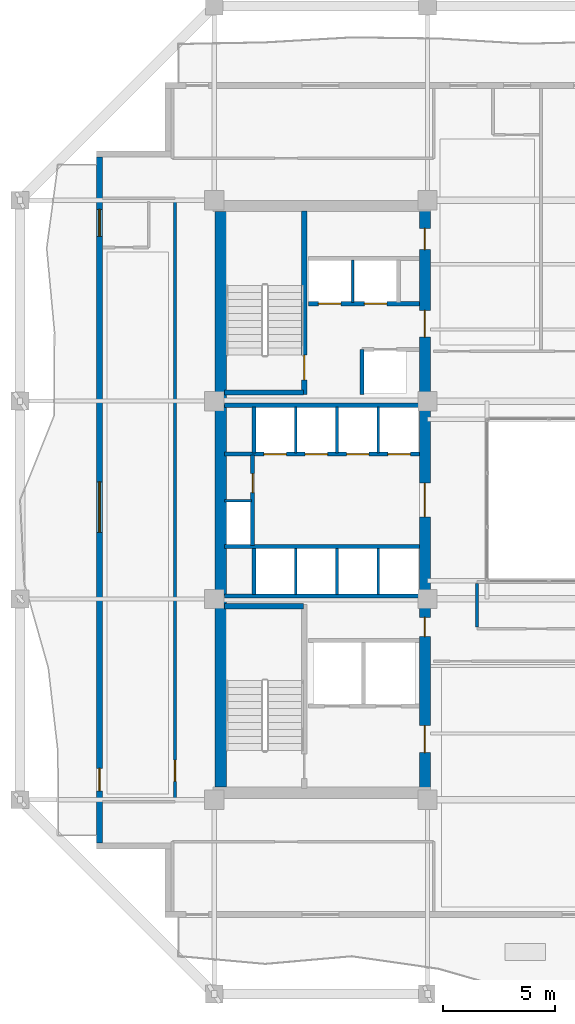
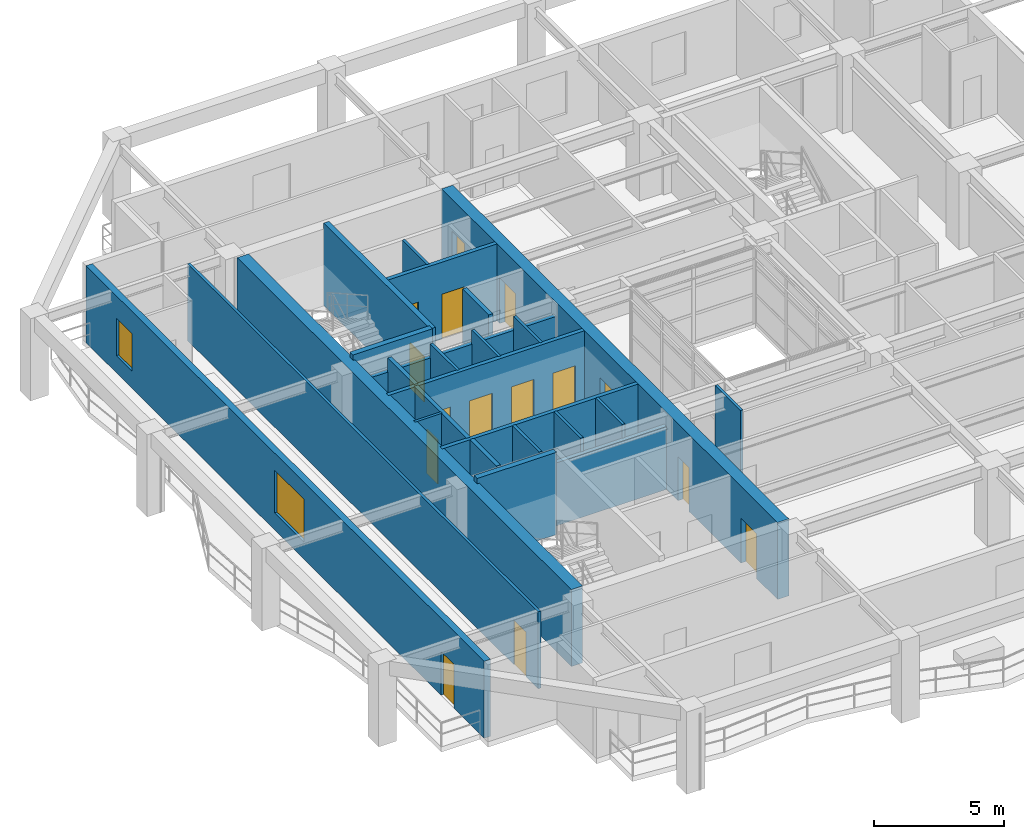
# One storey, part 7 of 14: 25 walls, 15 doors, 2 windows, 17 openings.
"""IFC4 building model written with IfcOpenShell, lengths in metres."""

from ifc_helpers import new_model, si_unit, direction, frame, frame_2d, origin, place, context, subcontext, project, spatial, rectangle, extrude, material, layer, layer_set, type_object, element, fill, save


model = new_model("IFC4")

# Units and contexts
model_context = context("Model", 3, precision=1e-05, world=origin(), true_north=direction((0.0, 1.0)))
body_context = subcontext(model_context, "Body", "Model", "MODEL_VIEW")
ifc_project = project(units=[si_unit("LENGTHUNIT", "METRE"), si_unit("AREAUNIT", "SQUARE_METRE"), si_unit("VOLUMEUNIT", "CUBIC_METRE"), si_unit("PLANEANGLEUNIT", "RADIAN"), si_unit("MASSUNIT", "GRAM", prefix="KILO")], contexts=[model_context])

# Site, building, storey
site_placement = place(None, origin())
site = spatial("IfcSite", under=ifc_project, at=site_placement, CompositionType="ELEMENT")
building_placement = place(site_placement, origin())
building = spatial("IfcBuilding", under=site, at=building_placement, Name="Kundavana Baori Tower", CompositionType="ELEMENT")
storey_placement = place(building_placement, frame((0.0, 0.0, 104.0)))
storey = spatial("IfcBuildingStorey", under=building, at=storey_placement, Name="L24", CompositionType="ELEMENT", Elevation=104.0)

# Wall
ifc_material_1 = material(Name="Concrete C50/60", Category="concrete")
ifc_layer_1 = layer(ifc_material_1, 0.39990234375, Name="WL-CORE-400")
ifc_layer_set_1 = layer_set([ifc_layer_1], Name="Concrete C50/60")
wall_type_1 = type_object("IfcWallType", Name="WL-CORE-400", PredefinedType="SHEAR", material=ifc_layer_set_1)
wall_1_placement = place(storey_placement, frame((15.89990234375, 23.860107421875, 0.0), z_axis=(0.0, 0.0, 1.0), x_axis=(1.0, 0.0, 0.0)))
element("IfcWall", 1, at=wall_1_placement, inside=storey, type_object=wall_type_1, Name="WL-L24-ST1-N", PredefinedType="SHEAR", context=body_context, shape_type="SweptSolid", body=[
    extrude(rectangle(XDim=3.52001953125, YDim=0.239990234375, at=frame_2d((1.760009765625, 0.0))), origin(), (0.0, 0.0, 1.0), 3.85009765625),
])

# Wall, opening, door
wall_2_placement = place(storey_placement, frame((19.4599609375, 33.300048828125, 0.0), z_axis=(0.0, 0.0, 1.0), x_axis=(0.0, 1.0, 0.0)))
wall_2 = element("IfcWall", 2, at=wall_2_placement, inside=storey, type_object=wall_type_1, Name="WL-L24-ST2-E", PredefinedType="SHEAR", context=body_context, shape_type="SweptSolid", body=[
    extrude(rectangle(XDim=8.179931640625, YDim=0.239990234375, at=frame_2d((4.08984375, 0.0))), origin(), (0.0, 0.0, 1.0), 3.85009765625),
])
opening_1_placement = place(wall_2_placement, frame((0.64990234375, 0.0, 0.0)))
opening_1 = element("IfcOpeningElement", 3, at=opening_1_placement, cuts=wall_2, Name="Opening FD-110", PredefinedType="OPENING", context=body_context, shape_type="SweptSolid", body=[
    extrude(rectangle(XDim=1.10009765625, YDim=2.10009765625, at=frame_2d((0.550048828125, 1.050048828125))), frame((0.0, 0.1298828125, 0.0), z_axis=(0.0, -1.0, 0.0), x_axis=(1.0, 0.0, 0.0)), (0.0, 0.0, 1.0), 0.260009765625),
])
ifc_material_2 = material(Name="Galvanised Steel Fire-Rated Door Leaf", Category="steel")
door_type_1 = type_object("IfcDoorType", Name="DR-FD120-1100", OperationType="NOTDEFINED", PredefinedType="DOOR", material=ifc_material_2)
door_1_placement = place(opening_1_placement, origin())
door_1 = element("IfcDoor", 4, at=door_1_placement, inside=storey, type_object=door_type_1, Name="DR-L24-ST2", OperationType="SINGLE_SWING_RIGHT", OverallHeight=2.10009765625, OverallWidth=1.10009765625, PredefinedType="DOOR", context=body_context, shape_type="SweptSolid", body=[
    extrude(rectangle(XDim=1.10009765625, YDim=2.10009765625, at=frame_2d((0.550048828125, 1.050048828125))), frame((0.0, 0.02490234375, 0.0), z_axis=(0.0, -1.0, 0.0), x_axis=(1.0, 0.0, 0.0)), (0.0, 0.0, 1.0), 0.050048828125),
])
fill(opening_1, door_1)

# Walls
wall_3_placement = place(storey_placement, frame((15.89990234375, 33.389892578125, 0.0), z_axis=(0.0, 0.0, 1.0), x_axis=(1.0, 0.0, 0.0)))
element("IfcWall", 5, at=wall_3_placement, inside=storey, type_object=wall_type_1, Name="WL-L24-ST2-S", PredefinedType="SHEAR", context=body_context, shape_type="SweptSolid", body=[
    extrude(rectangle(XDim=3.52001953125, YDim=0.239990234375, at=frame_2d((1.760009765625, 0.0))), origin(), (0.0, 0.0, 1.0), 3.85009765625),
])
ifc_material_3 = material(Name="Concrete C50/60", Category="concrete")
ifc_layer_2 = layer(ifc_material_3, 0.5, Name="WL-CORE-500")
ifc_layer_set_2 = layer_set([ifc_layer_2], Name="Concrete C50/60")
wall_type_2 = type_object("IfcWallType", Name="WL-CORE-500", PredefinedType="SHEAR", material=ifc_layer_set_2)
wall_4_placement = place(storey_placement, frame((15.739990234375, 15.81005859375, 0.0), z_axis=(0.0, 0.0, 1.0), x_axis=(0.0, 1.0, 0.0)))
element("IfcWall", 6, at=wall_4_placement, inside=storey, type_object=wall_type_2, Name="L24 Offset Core West Shear Wall", PredefinedType="SHEAR", context=body_context, shape_type="SweptSolid", body=[
    extrude(rectangle(XDim=25.6298828125, YDim=0.5, at=frame_2d((12.81494140625, 0.0))), origin(), (0.0, 0.0, 1.0), 3.60009765625),
])

# Wall, openings, doors
wall_5_placement = place(storey_placement, frame((24.830078125, 15.739990234375, 0.0), z_axis=(0.0, 0.0, 1.0), x_axis=(0.0, 1.0, 0.0)))
wall_5 = element("IfcWall", 7, at=wall_5_placement, inside=storey, type_object=wall_type_2, Name="L24 Offset Core East Shear Wall", PredefinedType="SHEAR", context=body_context, shape_type="SweptSolid", body=[
    extrude(rectangle(XDim=25.760009765625, YDim=0.5, at=frame_2d((12.8798828125, 0.0))), origin(), (0.0, 0.0, 1.0), 3.60009765625),
])
opening_2_placement = place(wall_5_placement, frame((1.610107421875, 0.0, 0.0)))
opening_2 = element("IfcOpeningElement", 8, at=opening_2_placement, cuts=wall_5, Name="Opening FD-120", PredefinedType="OPENING", context=body_context, shape_type="SweptSolid", body=[
    extrude(rectangle(XDim=1.199951171875, YDim=2.10009765625, at=frame_2d((0.60009765625, 1.050048828125))), frame((0.0, 0.260009765625, 0.0), z_axis=(0.0, -1.0, 0.0), x_axis=(1.0, 0.0, 0.0)), (0.0, 0.0, 1.0), 0.52001953125),
])
opening_3_placement = place(wall_5_placement, frame((6.780029296875, 0.0, 0.0)))
opening_3 = element("IfcOpeningElement", 9, at=opening_3_placement, cuts=wall_5, Name="Opening FD-085", PredefinedType="OPENING", context=body_context, shape_type="SweptSolid", body=[
    extrude(rectangle(XDim=0.85009765625, YDim=2.06005859375, at=frame_2d((0.425048828125, 1.030029296875))), frame((0.0, 0.260009765625, 0.0), z_axis=(0.0, -1.0, 0.0), x_axis=(1.0, 0.0, 0.0)), (0.0, 0.0, 1.0), 0.52001953125),
])
opening_4_placement = place(wall_5_placement, frame((12.110107421875, 0.0, 0.0)))
opening_4 = element("IfcOpeningElement", 10, at=opening_4_placement, cuts=wall_5, Name="Opening FD-150", PredefinedType="OPENING", context=body_context, shape_type="SweptSolid", body=[
    extrude(rectangle(XDim=1.5, YDim=2.1201171875, at=frame_2d((0.75, 1.06005859375))), frame((0.0, 0.260009765625, 0.0), z_axis=(0.0, -1.0, 0.0), x_axis=(1.0, 0.0, 0.0)), (0.0, 0.0, 1.0), 0.52001953125),
])
opening_5_placement = place(wall_5_placement, frame((20.110107421875, 0.0, 0.0)))
opening_5 = element("IfcOpeningElement", 11, at=opening_5_placement, cuts=wall_5, Name="Opening FD-122", PredefinedType="OPENING", context=body_context, shape_type="SweptSolid", body=[
    extrude(rectangle(XDim=1.199951171875, YDim=2.1201171875, at=frame_2d((0.60009765625, 1.06005859375))), frame((0.0, 0.260009765625, 0.0), z_axis=(0.0, -1.0, 0.0), x_axis=(1.0, 0.0, 0.0)), (0.0, 0.0, 1.0), 0.52001953125),
])
opening_6_placement = place(wall_5_placement, frame((24.010009765625, 0.0, 0.0)))
opening_6 = element("IfcOpeningElement", 12, at=opening_6_placement, cuts=wall_5, Name="Opening FD-095", PredefinedType="OPENING", context=body_context, shape_type="SweptSolid", body=[
    extrude(rectangle(XDim=0.949951171875, YDim=2.10009765625, at=frame_2d((0.47509765625, 1.050048828125))), frame((0.0, 0.260009765625, 0.0), z_axis=(0.0, -1.0, 0.0), x_axis=(1.0, 0.0, 0.0)), (0.0, 0.0, 1.0), 0.52001953125),
])
ifc_material_4 = material(Name="Galvanised Steel Fire-Rated Door Leaf", Category="steel")
door_type_2 = type_object("IfcDoorType", Name="DR-FD120-1200", OperationType="NOTDEFINED", PredefinedType="DOOR", material=ifc_material_4)
door_2_placement = place(opening_2_placement, frame((1.199951171875, 0.0, 0.0), z_axis=(0.0, 0.0, 1.0), x_axis=(-1.0, 0.0, 0.0)))
door_2 = element("IfcDoor", 13, at=door_2_placement, inside=storey, type_object=door_type_2, Name="DR-L24-FFLOB-E", OperationType="SINGLE_SWING_RIGHT", OverallHeight=2.10009765625, OverallWidth=1.199951171875, PredefinedType="DOOR", context=body_context, shape_type="SweptSolid", body=[
    extrude(rectangle(XDim=1.199951171875, YDim=2.10009765625, at=frame_2d((0.60009765625, 1.050048828125))), frame((0.0, 0.02490234375, 0.0), z_axis=(0.0, -1.0, 0.0), x_axis=(1.0, 0.0, 0.0)), (0.0, 0.0, 1.0), 0.050048828125),
])
fill(opening_2, door_2)
ifc_material_5 = material(Name="Galvanised Steel Fire-Rated Door Leaf", Category="steel")
door_type_3 = type_object("IfcDoorType", Name="DR-FD60-1200", OperationType="NOTDEFINED", PredefinedType="DOOR", material=ifc_material_5)
door_3_placement = place(opening_5_placement, frame((1.199951171875, 0.0, 0.0), z_axis=(0.0, 0.0, 1.0), x_axis=(-1.0, 0.0, 0.0)))
door_3 = element("IfcDoor", 14, at=door_3_placement, inside=storey, type_object=door_type_3, Name="DR-L24-HRLOB-E", OperationType="SINGLE_SWING_RIGHT", OverallHeight=2.1201171875, OverallWidth=1.199951171875, PredefinedType="DOOR", context=body_context, shape_type="SweptSolid", body=[
    extrude(rectangle(XDim=1.199951171875, YDim=2.1201171875, at=frame_2d((0.60009765625, 1.06005859375))), frame((0.0, 0.02490234375, 0.0), z_axis=(0.0, -1.0, 0.0), x_axis=(1.0, 0.0, 0.0)), (0.0, 0.0, 1.0), 0.050048828125),
])
fill(opening_5, door_3)
ifc_material_6 = material(Name="Galvanised Steel Fire-Rated Door Leaf", Category="steel")
door_type_4 = type_object("IfcDoorType", Name="DR-FD60-1500", OperationType="NOTDEFINED", PredefinedType="DOOR", material=ifc_material_6)
door_4_placement = place(opening_4_placement, frame((1.5, 0.0, 0.0), z_axis=(0.0, 0.0, 1.0), x_axis=(-1.0, 0.0, 0.0)))
door_4 = element("IfcDoor", 15, at=door_4_placement, inside=storey, type_object=door_type_4, Name="DR-L24-LIFTHALL-E", OperationType="SINGLE_SWING_LEFT", OverallHeight=2.1201171875, OverallWidth=1.5, PredefinedType="DOOR", context=body_context, shape_type="SweptSolid", body=[
    extrude(rectangle(XDim=1.5, YDim=2.1201171875, at=frame_2d((0.75, 1.06005859375))), frame((0.0, 0.02490234375, 0.0), z_axis=(0.0, -1.0, 0.0), x_axis=(1.0, 0.0, 0.0)), (0.0, 0.0, 1.0), 0.050048828125),
])
fill(opening_4, door_4)
ifc_material_7 = material(Name="Galvanised Steel Fire-Rated Door Leaf", Category="steel")
door_type_5 = type_object("IfcDoorType", Name="DR-FD60-850", OperationType="NOTDEFINED", PredefinedType="DOOR", material=ifc_material_7)
door_5_placement = place(opening_3_placement, frame((0.85009765625, 0.0, 0.0), z_axis=(0.0, 0.0, 1.0), x_axis=(-1.0, 0.0, 0.0)))
door_5 = element("IfcDoor", 16, at=door_5_placement, inside=storey, type_object=door_type_5, Name="DR-L24-CSMK1", OperationType="SINGLE_SWING_LEFT", OverallHeight=2.06005859375, OverallWidth=0.85009765625, PredefinedType="DOOR", context=body_context, shape_type="SweptSolid", body=[
    extrude(rectangle(XDim=0.85009765625, YDim=2.06005859375, at=frame_2d((0.425048828125, 1.030029296875))), frame((0.0, 0.02490234375, 0.0), z_axis=(0.0, -1.0, 0.0), x_axis=(1.0, 0.0, 0.0)), (0.0, 0.0, 1.0), 0.050048828125),
])
fill(opening_3, door_5)
ifc_material_8 = material(Name="Engineered Teak Fire-Rated Timber Door Leaf", Category="wood")
door_type_6 = type_object("IfcDoorType", Name="DR-FD60-950", OperationType="NOTDEFINED", PredefinedType="DOOR", material=ifc_material_8)
door_6_placement = place(opening_6_placement, frame((0.949951171875, 0.0, 0.0), z_axis=(0.0, 0.0, 1.0), x_axis=(-1.0, 0.0, 0.0)))
door_6 = element("IfcDoor", 17, at=door_6_placement, inside=storey, type_object=door_type_6, Name="DR-L24-CSRV1", OperationType="SINGLE_SWING_LEFT", OverallHeight=2.10009765625, OverallWidth=0.949951171875, PredefinedType="DOOR", context=body_context, shape_type="SweptSolid", body=[
    extrude(rectangle(XDim=0.949951171875, YDim=2.10009765625, at=frame_2d((0.47509765625, 1.050048828125))), frame((0.0, 0.02490234375, 0.0), z_axis=(0.0, -1.0, 0.0), x_axis=(1.0, 0.0, 0.0)), (0.0, 0.0, 1.0), 0.050048828125),
])
fill(opening_6, door_6)

# Wall, openings, door, windows
ifc_material_9 = material(Name="Red-Buff Dholpur Sandstone Cladding on Concrete C40/50", Category="masonry")
ifc_layer_3 = layer(ifc_material_9, 0.280029296875, Name="WL-EXT-SAND-280")
ifc_layer_set_3 = layer_set([ifc_layer_3], Name="Red-Buff Dholpur Sandstone Cladding on Concrete C40/50")
wall_type_3 = type_object("IfcWallType", Name="WL-EXT-SAND-280", PredefinedType="STANDARD", material=ifc_layer_set_3)
wall_6_placement = place(storey_placement, frame((10.340087890625, 43.8701171875, 0.0), z_axis=(0.0, 0.0, 1.0), x_axis=(0.0, -1.0, 0.0)))
wall_6 = element("IfcWall", 18, at=wall_6_placement, inside=storey, type_object=wall_type_3, Name="L24 Exterior Insulated Facade Wall 10", PredefinedType="STANDARD", context=body_context, shape_type="SweptSolid", body=[
    extrude(rectangle(XDim=30.5400390625, YDim=0.280029296875, at=frame_2d((15.27001953125, 0.0))), origin(), (0.0, 0.0, 1.0), 3.60009765625),
])
opening_7_placement = place(wall_6_placement, frame((27.219970703125, 0.0, 0.0)))
opening_7 = element("IfcOpeningElement", 19, at=opening_7_placement, cuts=wall_6, Name="Opening BD-1", PredefinedType="OPENING", context=body_context, shape_type="SweptSolid", body=[
    extrude(rectangle(XDim=1.0, YDim=2.050048828125, at=frame_2d((0.5, 1.02490234375))), frame((0.0, 0.14990234375, 0.0), z_axis=(0.0, -1.0, 0.0), x_axis=(1.0, 0.0, 0.0)), (0.0, 0.0, 1.0), 0.300048828125),
])
opening_8_placement = place(wall_6_placement, frame((14.465087890625, 0.0, 0.800048828125)))
opening_8 = element("IfcOpeningElement", 20, at=opening_8_placement, cuts=wall_6, Name="Opening W-10", PredefinedType="OPENING", context=body_context, shape_type="SweptSolid", body=[
    extrude(rectangle(XDim=2.25, YDim=2.0, at=frame_2d((1.125, 1.0))), frame((0.0, 0.14990234375, 0.0), z_axis=(0.0, -1.0, 0.0), x_axis=(1.0, 0.0, 0.0)), (0.0, 0.0, 1.0), 0.300048828125),
])
opening_9_placement = place(wall_6_placement, frame((2.324951171875, 0.0, 0.800048828125)))
opening_9 = element("IfcOpeningElement", 21, at=opening_9_placement, cuts=wall_6, Name="Opening W-03", PredefinedType="OPENING", context=body_context, shape_type="SweptSolid", body=[
    extrude(rectangle(XDim=1.199951171875, YDim=1.75, at=frame_2d((0.60009765625, 0.875))), frame((0.0, 0.14990234375, 0.0), z_axis=(0.0, -1.0, 0.0), x_axis=(1.0, 0.0, 0.0)), (0.0, 0.0, 1.0), 0.300048828125),
])
ifc_material_10 = material(Name="Architectural Patinated Bronze Metalwork")
door_type_7 = type_object("IfcDoorType", Name="DR-EXT-LOG-1000", OperationType="NOTDEFINED", PredefinedType="DOOR", material=ifc_material_10)
door_7_placement = place(opening_7_placement, frame((1.0, 0.0, 0.0), z_axis=(0.0, 0.0, 1.0), x_axis=(-1.0, 0.0, 0.0)))
door_7 = element("IfcDoor", 22, at=door_7_placement, inside=storey, type_object=door_type_7, Name="L24 Loggia Balcony Access Door W", OperationType="SINGLE_SWING_RIGHT", OverallHeight=2.050048828125, OverallWidth=1.0, PredefinedType="DOOR", context=body_context, shape_type="SweptSolid", body=[
    extrude(rectangle(XDim=1.0, YDim=2.050048828125, at=frame_2d((0.5, 1.02490234375))), frame((0.0, 0.02490234375, 0.0), z_axis=(0.0, -1.0, 0.0), x_axis=(1.0, 0.0, 0.0)), (0.0, 0.0, 1.0), 0.050048828125),
])
fill(opening_7, door_7)
ifc_material_11 = material(Name="Double-Glazed Solar-Control Low-E Insulated Glass", Category="glass")
window_type_1 = type_object("IfcWindowType", Name="WIN-LOG-1200x1750", PartitioningType="SINGLE_PANEL", PredefinedType="WINDOW", material=ifc_material_11)
window_1_placement = place(opening_9_placement, origin())
window_1 = element("IfcWindow", 23, at=window_1_placement, inside=storey, type_object=window_type_1, Name="L24 Recessed Loggia Window W-2", OverallHeight=1.75, OverallWidth=1.199951171875, PartitioningType="SINGLE_PANEL", PredefinedType="WINDOW", context=body_context, shape_type="SweptSolid", body=[
    extrude(rectangle(XDim=1.199951171875, YDim=1.75, at=frame_2d((0.60009765625, 0.875))), frame((0.0, 0.030029296875, 0.0), z_axis=(0.0, -1.0, 0.0), x_axis=(1.0, 0.0, 0.0)), (0.0, 0.0, 1.0), 0.06005859375),
])
fill(opening_9, window_1)
ifc_material_12 = material(Name="Double-Glazed Solar-Control Low-E Insulated Glass", Category="glass")
window_type_2 = type_object("IfcWindowType", Name="WIN-LOG-2250x2000", PartitioningType="SINGLE_PANEL", PredefinedType="WINDOW", material=ifc_material_12)
window_2_placement = place(opening_8_placement, origin())
window_2 = element("IfcWindow", 24, at=window_2_placement, inside=storey, type_object=window_type_2, Name="L24 Recessed Loggia Window W-1", OverallHeight=2.0, OverallWidth=2.25, PartitioningType="SINGLE_PANEL", PredefinedType="WINDOW", context=body_context, shape_type="SweptSolid", body=[
    extrude(rectangle(XDim=2.25, YDim=2.0, at=frame_2d((1.125, 1.0))), frame((0.0, 0.030029296875, 0.0), z_axis=(0.0, -1.0, 0.0), x_axis=(1.0, 0.0, 0.0)), (0.0, 0.0, 1.0), 0.06005859375),
])
fill(opening_8, window_2)

# Walls
ifc_material_13 = material(Name="Acoustic Gypsum Plasterboard on Galvanised Steel Studs", Category="steel")
ifc_layer_4 = layer(ifc_material_13, 0.1201171875, Name="WL-PART-120")
ifc_layer_set_4 = layer_set([ifc_layer_4], Name="Acoustic Gypsum Plasterboard on Galvanised Steel Studs")
wall_type_4 = type_object("IfcWallType", Name="WL-PART-120", PredefinedType="PARTITIONING", material=ifc_layer_set_4)
for number, where, z_axis, x_axis, name in (
    (25, (19.080078125, 24.39990234375, 0.0), (0.0, 0.0, 1.0), (0.0, 1.0, 0.0), "WL-L24-LPLOW-D1"),
    (26, (20.919921875, 24.39990234375, 0.0), (0.0, 0.0, 1.0), (0.0, 1.0, 0.0), "WL-L24-LPLOW-D2"),
    (27, (22.760009765625, 24.39990234375, 0.0), (0.0, 0.0, 1.0), (0.0, 1.0, 0.0), "WL-L24-LPLOW-D3"),
):
    element("IfcWall", number, at=place(storey_placement, frame(where, z_axis=z_axis, x_axis=x_axis)), inside=storey, type_object=wall_type_4, Name=name, PredefinedType="PARTITIONING", context=body_context, shape_type="SweptSolid", body=[
        extrude(rectangle(XDim=2.050048828125, YDim=0.1201171875, at=frame_2d((1.02490234375, 0.0))), origin(), (0.0, 0.0, 1.0), 3.60009765625),
    ])
wall_7_placement = place(storey_placement, frame((15.89990234375, 28.56005859375, 0.0), z_axis=(0.0, 0.0, 1.0), x_axis=(1.0, 0.0, 0.0)))
element("IfcWall", 28, at=wall_7_placement, inside=storey, type_object=wall_type_4, Name="WL-L24-RSRW-N", PredefinedType="PARTITIONING", context=body_context, shape_type="SweptSolid", body=[
    extrude(rectangle(XDim=1.2001953125, YDim=0.1201171875, at=frame_2d((0.60009765625, 0.0))), origin(), (0.0, 0.0, 1.0), 3.60009765625),
])
for number, where, z_axis, x_axis, name in (
    (29, (19.080078125, 30.699951171875, 0.0), (0.0, 0.0, 1.0), (0.0, 1.0, 0.0), "WL-L24-LPMID-D1"),
    (30, (20.919921875, 30.699951171875, 0.0), (0.0, 0.0, 1.0), (0.0, 1.0, 0.0), "WL-L24-LPMID-D2"),
    (31, (22.760009765625, 30.699951171875, 0.0), (0.0, 0.0, 1.0), (0.0, 1.0, 0.0), "WL-L24-LPMID-D3"),
):
    element("IfcWall", number, at=place(storey_placement, frame(where, z_axis=z_axis, x_axis=x_axis)), inside=storey, type_object=wall_type_4, Name=name, PredefinedType="PARTITIONING", context=body_context, shape_type="SweptSolid", body=[
        extrude(rectangle(XDim=2.050048828125, YDim=0.1201171875, at=frame_2d((1.02490234375, 0.0))), origin(), (0.0, 0.0, 1.0), 3.60009765625),
    ])
wall_8_placement = place(storey_placement, frame((21.6201171875, 37.39990234375, 0.0), z_axis=(0.0, 0.0, 1.0), x_axis=(0.0, 1.0, 0.0)))
element("IfcWall", 32, at=wall_8_placement, inside=storey, type_object=wall_type_4, Name="WL-L24-HR-DIV1", PredefinedType="PARTITIONING", context=body_context, shape_type="SweptSolid", body=[
    extrude(rectangle(XDim=1.900146484375, YDim=0.1201171875, at=frame_2d((0.9501953125, 0.0))), origin(), (0.0, 0.0, 1.0), 3.60009765625),
])

# Wall, opening, door
wall_9_placement = place(storey_placement, frame((13.699951171875, 15.159912109375, 0.0), z_axis=(0.0, 0.0, 1.0), x_axis=(0.0, 1.0, 0.0)))
wall_9 = element("IfcWall", 33, at=wall_9_placement, inside=storey, type_object=wall_type_4, Name="WL-L24-HW", PredefinedType="PARTITIONING", context=body_context, shape_type="SweptSolid", body=[
    extrude(rectangle(XDim=26.880126953125, YDim=0.1201171875, at=frame_2d((13.43994140625, 0.0))), origin(), (0.0, 0.0, 1.0), 3.60009765625),
])
opening_10_placement = place(wall_9_placement, frame((0.909912109375, 0.0, 0.0)))
opening_10 = element("IfcOpeningElement", 34, at=opening_10_placement, cuts=wall_9, Name="Opening FD-095", PredefinedType="OPENING", context=body_context, shape_type="SweptSolid", body=[
    extrude(rectangle(XDim=0.949951171875, YDim=2.10009765625, at=frame_2d((0.47509765625, 1.050048828125))), frame((0.0, 0.070068359375, 0.0), z_axis=(0.0, -1.0, 0.0), x_axis=(1.0, 0.0, 0.0)), (0.0, 0.0, 1.0), 0.14013671875),
])
door_8_placement = place(opening_10_placement, origin())
door_8 = element("IfcDoor", 35, at=door_8_placement, inside=storey, type_object=door_type_6, Name="DR-L24-HK-W1-ENT", OperationType="SINGLE_SWING_LEFT", OverallHeight=2.10009765625, OverallWidth=0.949951171875, PredefinedType="DOOR", context=body_context, shape_type="SweptSolid", body=[
    extrude(rectangle(XDim=0.949951171875, YDim=2.10009765625, at=frame_2d((0.47509765625, 1.050048828125))), frame((0.0, 0.02490234375, 0.0), z_axis=(0.0, -1.0, 0.0), x_axis=(1.0, 0.0, 0.0)), (0.0, 0.0, 1.0), 0.050048828125),
])
fill(opening_10, door_8)

# Walls
wall_10_placement = place(storey_placement, frame((27.14990234375, 22.93994140625, 0.0), z_axis=(0.0, 0.0, 1.0), x_axis=(0.0, 1.0, 0.0)))
element("IfcWall", 36, at=wall_10_placement, inside=storey, type_object=wall_type_4, Name="WL-L24-HPN2", PredefinedType="PARTITIONING", context=body_context, shape_type="SweptSolid", body=[
    extrude(rectangle(XDim=1.93994140625, YDim=0.1201171875, at=frame_2d((0.969970703125, 0.0))), origin(), (0.0, 0.0, 1.0), 3.60009765625),
])
ifc_material_14 = material(Name="Autoclaved Aerated Concrete Blockwork Masonry", Category="masonry")
ifc_layer_5 = layer(ifc_material_14, 0.179931640625, Name="WL-SHAFT-180")
ifc_layer_set_5 = layer_set([ifc_layer_5], Name="Autoclaved Aerated Concrete Blockwork Masonry")
wall_type_5 = type_object("IfcWallType", Name="WL-SHAFT-180", PredefinedType="SOLIDWALL", material=ifc_layer_set_5)
wall_11_placement = place(storey_placement, frame((15.89990234375, 26.52001953125, 0.0), z_axis=(0.0, 0.0, 1.0), x_axis=(1.0, 0.0, 0.0)))
element("IfcWall", 37, at=wall_11_placement, inside=storey, type_object=wall_type_5, Name="WL-L24-LPLOW-N", PredefinedType="SOLIDWALL", context=body_context, shape_type="SweptSolid", body=[
    extrude(rectangle(XDim=8.68017578125, YDim=0.179931640625, at=frame_2d((4.340087890625, 0.0))), origin(), (0.0, 0.0, 1.0), 3.60009765625),
])
wall_12_placement = place(storey_placement, frame((15.89990234375, 24.330078125, 0.0), z_axis=(0.0, 0.0, 1.0), x_axis=(1.0, 0.0, 0.0)))
element("IfcWall", 38, at=wall_12_placement, inside=storey, type_object=wall_type_5, Name="WL-L24-LPLOW-S", PredefinedType="SOLIDWALL", context=body_context, shape_type="SweptSolid", body=[
    extrude(rectangle(XDim=8.68017578125, YDim=0.179931640625, at=frame_2d((4.340087890625, 0.0))), origin(), (0.0, 0.0, 1.0), 2.949951171875),
])
wall_13_placement = place(storey_placement, frame((17.219970703125, 24.39990234375, 0.0), z_axis=(0.0, 0.0, 1.0), x_axis=(0.0, 1.0, 0.0)))
element("IfcWall", 39, at=wall_13_placement, inside=storey, type_object=wall_type_5, Name="WL-L24-LPLOW-W", PredefinedType="SOLIDWALL", context=body_context, shape_type="SweptSolid", body=[
    extrude(rectangle(XDim=2.050048828125, YDim=0.179931640625, at=frame_2d((1.02490234375, 0.0))), origin(), (0.0, 0.0, 1.0), 3.60009765625),
])

# Wall, opening, door
wall_14_placement = place(storey_placement, frame((17.159912109375, 26.580078125, 0.0), z_axis=(0.0, 0.0, 1.0), x_axis=(0.0, 1.0, 0.0)))
wall_14 = element("IfcWall", 40, at=wall_14_placement, inside=storey, type_object=wall_type_5, Name="WL-L24-RSRW-E", PredefinedType="SOLIDWALL", context=body_context, shape_type="SweptSolid", body=[
    extrude(rectangle(XDim=4.02001953125, YDim=0.179931640625, at=frame_2d((2.010009765625, 0.0))), origin(), (0.0, 0.0, 1.0), 3.60009765625),
])
opening_11_placement = place(wall_14_placement, frame((2.35009765625, 0.0, 0.0)))
opening_11 = element("IfcOpeningElement", 41, at=opening_11_placement, cuts=wall_14, Name="Opening FD-085", PredefinedType="OPENING", context=body_context, shape_type="SweptSolid", body=[
    extrude(rectangle(XDim=0.85009765625, YDim=2.06005859375, at=frame_2d((0.425048828125, 1.030029296875))), frame((0.0, 0.10009765625, 0.0), z_axis=(0.0, -1.0, 0.0), x_axis=(1.0, 0.0, 0.0)), (0.0, 0.0, 1.0), 0.199951171875),
])
door_9_placement = place(opening_11_placement, origin())
door_9 = element("IfcDoor", 42, at=door_9_placement, inside=storey, type_object=door_type_5, Name="DR-L24-CLN", OperationType="SINGLE_SWING_RIGHT", OverallHeight=2.06005859375, OverallWidth=0.85009765625, PredefinedType="DOOR", context=body_context, shape_type="SweptSolid", body=[
    extrude(rectangle(XDim=0.85009765625, YDim=2.06005859375, at=frame_2d((0.425048828125, 1.030029296875))), frame((0.0, 0.02490234375, 0.0), z_axis=(0.0, -1.0, 0.0), x_axis=(1.0, 0.0, 0.0)), (0.0, 0.0, 1.0), 0.050048828125),
])
fill(opening_11, door_9)

# Wall, openings, doors
wall_15_placement = place(storey_placement, frame((15.89990234375, 30.639892578125, 0.0), z_axis=(0.0, 0.0, 1.0), x_axis=(1.0, 0.0, 0.0)))
wall_15 = element("IfcWall", 43, at=wall_15_placement, inside=storey, type_object=wall_type_5, Name="WL-L24-LPMID-S", PredefinedType="SOLIDWALL", context=body_context, shape_type="SweptSolid", body=[
    extrude(rectangle(XDim=8.68017578125, YDim=0.179931640625, at=frame_2d((4.340087890625, 0.0))), origin(), (0.0, 0.0, 1.0), 3.60009765625),
])
opening_12_placement = place(wall_15_placement, frame((1.760009765625, 0.0, 0.0)))
opening_12 = element("IfcOpeningElement", 44, at=opening_12_placement, cuts=wall_15, Name="Opening LD-100", PredefinedType="OPENING", context=body_context, shape_type="SweptSolid", body=[
    extrude(rectangle(XDim=1.0, YDim=2.10009765625, at=frame_2d((0.5, 1.050048828125))), frame((0.0, 0.10009765625, 0.0), z_axis=(0.0, -1.0, 0.0), x_axis=(1.0, 0.0, 0.0)), (0.0, 0.0, 1.0), 0.199951171875),
])
opening_13_placement = place(wall_15_placement, frame((3.60009765625, 0.0, 0.0)))
opening_13 = element("IfcOpeningElement", 45, at=opening_13_placement, cuts=wall_15, Name="Opening LD-100", PredefinedType="OPENING", context=body_context, shape_type="SweptSolid", body=[
    extrude(rectangle(XDim=1.0, YDim=2.10009765625, at=frame_2d((0.5, 1.050048828125))), frame((0.0, 0.10009765625, 0.0), z_axis=(0.0, -1.0, 0.0), x_axis=(1.0, 0.0, 0.0)), (0.0, 0.0, 1.0), 0.199951171875),
])
opening_14_placement = place(wall_15_placement, frame((5.43994140625, 0.0, 0.0)))
opening_14 = element("IfcOpeningElement", 46, at=opening_14_placement, cuts=wall_15, Name="Opening LD-100", PredefinedType="OPENING", context=body_context, shape_type="SweptSolid", body=[
    extrude(rectangle(XDim=1.0, YDim=2.10009765625, at=frame_2d((0.5, 1.050048828125))), frame((0.0, 0.10009765625, 0.0), z_axis=(0.0, -1.0, 0.0), x_axis=(1.0, 0.0, 0.0)), (0.0, 0.0, 1.0), 0.199951171875),
])
opening_15_placement = place(wall_15_placement, frame((7.280029296875, 0.0, 0.0)))
opening_15 = element("IfcOpeningElement", 47, at=opening_15_placement, cuts=wall_15, Name="Opening LD-100", PredefinedType="OPENING", context=body_context, shape_type="SweptSolid", body=[
    extrude(rectangle(XDim=1.0, YDim=2.10009765625, at=frame_2d((0.5, 1.050048828125))), frame((0.0, 0.10009765625, 0.0), z_axis=(0.0, -1.0, 0.0), x_axis=(1.0, 0.0, 0.0)), (0.0, 0.0, 1.0), 0.199951171875),
])
ifc_material_15 = material(Name="Galvanised Steel Fire-Rated Door Leaf", Category="steel")
door_type_8 = type_object("IfcDoorType", Name="DR-SLIDE-LD1000", OperationType="NOTDEFINED", PredefinedType="DOOR", material=ifc_material_15)
door_10_placement = place(opening_12_placement, frame((1.0, 0.0, 0.0), z_axis=(0.0, 0.0, 1.0), x_axis=(-1.0, 0.0, 0.0)))
door_10 = element("IfcDoor", 48, at=door_10_placement, inside=storey, type_object=door_type_8, Name="DR-L24-LD-LP-05", OperationType="DOUBLE_DOOR_SLIDING", OverallHeight=2.10009765625, OverallWidth=1.0, PredefinedType="DOOR", context=body_context, shape_type="SweptSolid", body=[
    extrude(rectangle(XDim=1.0, YDim=2.10009765625, at=frame_2d((0.5, 1.050048828125))), frame((0.0, 0.02490234375, 0.0), z_axis=(0.0, -1.0, 0.0), x_axis=(1.0, 0.0, 0.0)), (0.0, 0.0, 1.0), 0.050048828125),
])
fill(opening_12, door_10)
door_11_placement = place(opening_13_placement, frame((1.0, 0.0, 0.0), z_axis=(0.0, 0.0, 1.0), x_axis=(-1.0, 0.0, 0.0)))
door_11 = element("IfcDoor", 49, at=door_11_placement, inside=storey, type_object=door_type_8, Name="DR-L24-LD-LP-06", OperationType="DOUBLE_DOOR_SLIDING", OverallHeight=2.10009765625, OverallWidth=1.0, PredefinedType="DOOR", context=body_context, shape_type="SweptSolid", body=[
    extrude(rectangle(XDim=1.0, YDim=2.10009765625, at=frame_2d((0.5, 1.050048828125))), frame((0.0, 0.02490234375, 0.0), z_axis=(0.0, -1.0, 0.0), x_axis=(1.0, 0.0, 0.0)), (0.0, 0.0, 1.0), 0.050048828125),
])
fill(opening_13, door_11)
door_12_placement = place(opening_14_placement, frame((1.0, 0.0, 0.0), z_axis=(0.0, 0.0, 1.0), x_axis=(-1.0, 0.0, 0.0)))
door_12 = element("IfcDoor", 50, at=door_12_placement, inside=storey, type_object=door_type_8, Name="DR-L24-LD-LP-07", OperationType="DOUBLE_DOOR_SLIDING", OverallHeight=2.10009765625, OverallWidth=1.0, PredefinedType="DOOR", context=body_context, shape_type="SweptSolid", body=[
    extrude(rectangle(XDim=1.0, YDim=2.10009765625, at=frame_2d((0.5, 1.050048828125))), frame((0.0, 0.02490234375, 0.0), z_axis=(0.0, -1.0, 0.0), x_axis=(1.0, 0.0, 0.0)), (0.0, 0.0, 1.0), 0.050048828125),
])
fill(opening_14, door_12)
door_13_placement = place(opening_15_placement, frame((1.0, 0.0, 0.0), z_axis=(0.0, 0.0, 1.0), x_axis=(-1.0, 0.0, 0.0)))
door_13 = element("IfcDoor", 51, at=door_13_placement, inside=storey, type_object=door_type_8, Name="DR-L24-LD-LP-08", OperationType="DOUBLE_DOOR_SLIDING", OverallHeight=2.10009765625, OverallWidth=1.0, PredefinedType="DOOR", context=body_context, shape_type="SweptSolid", body=[
    extrude(rectangle(XDim=1.0, YDim=2.10009765625, at=frame_2d((0.5, 1.050048828125))), frame((0.0, 0.02490234375, 0.0), z_axis=(0.0, -1.0, 0.0), x_axis=(1.0, 0.0, 0.0)), (0.0, 0.0, 1.0), 0.050048828125),
])
fill(opening_15, door_13)

# Walls
wall_16_placement = place(storey_placement, frame((15.89990234375, 32.820068359375, 0.0), z_axis=(0.0, 0.0, 1.0), x_axis=(1.0, 0.0, 0.0)))
element("IfcWall", 52, at=wall_16_placement, inside=storey, type_object=wall_type_5, Name="WL-L24-LPMID-N", PredefinedType="SOLIDWALL", context=body_context, shape_type="SweptSolid", body=[
    extrude(rectangle(XDim=8.68017578125, YDim=0.179931640625, at=frame_2d((4.340087890625, 0.0))), origin(), (0.0, 0.0, 1.0), 2.949951171875),
])
wall_17_placement = place(storey_placement, frame((17.219970703125, 30.699951171875, 0.0), z_axis=(0.0, 0.0, 1.0), x_axis=(0.0, 1.0, 0.0)))
element("IfcWall", 53, at=wall_17_placement, inside=storey, type_object=wall_type_5, Name="WL-L24-LPMID-W", PredefinedType="SOLIDWALL", context=body_context, shape_type="SweptSolid", body=[
    extrude(rectangle(XDim=2.050048828125, YDim=0.179931640625, at=frame_2d((1.02490234375, 0.0))), origin(), (0.0, 0.0, 1.0), 3.60009765625),
])
wall_18_placement = place(storey_placement, frame((22.02001953125, 33.300048828125, 0.0), z_axis=(0.0, 0.0, 1.0), x_axis=(0.0, 1.0, 0.0)))
element("IfcWall", 54, at=wall_18_placement, inside=storey, type_object=wall_type_5, Name="WL-L24-LP11-W", PredefinedType="SOLIDWALL", context=body_context, shape_type="SweptSolid", body=[
    extrude(rectangle(XDim=2.010009765625, YDim=0.179931640625, at=frame_2d((1.0048828125, 0.0))), origin(), (0.0, 0.0, 1.0), 3.60009765625),
])

# Wall, openings, doors
wall_19_placement = place(storey_placement, frame((19.639892578125, 37.340087890625, 0.0), z_axis=(0.0, 0.0, 1.0), x_axis=(1.0, 0.0, 0.0)))
wall_19 = element("IfcWall", 55, at=wall_19_placement, inside=storey, type_object=wall_type_5, Name="WL-L24-HRLOB-N", PredefinedType="SOLIDWALL", context=body_context, shape_type="SweptSolid", body=[
    extrude(rectangle(XDim=4.940185546875, YDim=0.179931640625, at=frame_2d((2.47021484375, 0.0))), origin(), (0.0, 0.0, 1.0), 3.60009765625),
])
opening_16_placement = place(wall_19_placement, frame((0.449951171875, 0.0, 0.0)))
opening_16 = element("IfcOpeningElement", 56, at=opening_16_placement, cuts=wall_19, Name="Opening LD-100", PredefinedType="OPENING", context=body_context, shape_type="SweptSolid", body=[
    extrude(rectangle(XDim=1.0, YDim=2.10009765625, at=frame_2d((0.5, 1.050048828125))), frame((0.0, 0.10009765625, 0.0), z_axis=(0.0, -1.0, 0.0), x_axis=(1.0, 0.0, 0.0)), (0.0, 0.0, 1.0), 0.199951171875),
])
opening_17_placement = place(wall_19_placement, frame((2.5, 0.0, 0.0)))
opening_17 = element("IfcOpeningElement", 57, at=opening_17_placement, cuts=wall_19, Name="Opening LD-100", PredefinedType="OPENING", context=body_context, shape_type="SweptSolid", body=[
    extrude(rectangle(XDim=1.0, YDim=2.10009765625, at=frame_2d((0.5, 1.050048828125))), frame((0.0, 0.10009765625, 0.0), z_axis=(0.0, -1.0, 0.0), x_axis=(1.0, 0.0, 0.0)), (0.0, 0.0, 1.0), 0.199951171875),
])
door_14_placement = place(opening_16_placement, frame((1.0, 0.0, 0.0), z_axis=(0.0, 0.0, 1.0), x_axis=(-1.0, 0.0, 0.0)))
door_14 = element("IfcDoor", 58, at=door_14_placement, inside=storey, type_object=door_type_8, Name="DR-L24-LD-LP09", OperationType="DOUBLE_DOOR_SLIDING", OverallHeight=2.10009765625, OverallWidth=1.0, PredefinedType="DOOR", context=body_context, shape_type="SweptSolid", body=[
    extrude(rectangle(XDim=1.0, YDim=2.10009765625, at=frame_2d((0.5, 1.050048828125))), frame((0.0, 0.02490234375, 0.0), z_axis=(0.0, -1.0, 0.0), x_axis=(1.0, 0.0, 0.0)), (0.0, 0.0, 1.0), 0.050048828125),
])
fill(opening_16, door_14)
door_15_placement = place(opening_17_placement, frame((1.0, 0.0, 0.0), z_axis=(0.0, 0.0, 1.0), x_axis=(-1.0, 0.0, 0.0)))
door_15 = element("IfcDoor", 59, at=door_15_placement, inside=storey, type_object=door_type_8, Name="DR-L24-LD-LP10", OperationType="DOUBLE_DOOR_SLIDING", OverallHeight=2.10009765625, OverallWidth=1.0, PredefinedType="DOOR", context=body_context, shape_type="SweptSolid", body=[
    extrude(rectangle(XDim=1.0, YDim=2.10009765625, at=frame_2d((0.5, 1.050048828125))), frame((0.0, 0.02490234375, 0.0), z_axis=(0.0, -1.0, 0.0), x_axis=(1.0, 0.0, 0.0)), (0.0, 0.0, 1.0), 0.050048828125),
])
fill(opening_17, door_15)

save(model, "model.ifc")
